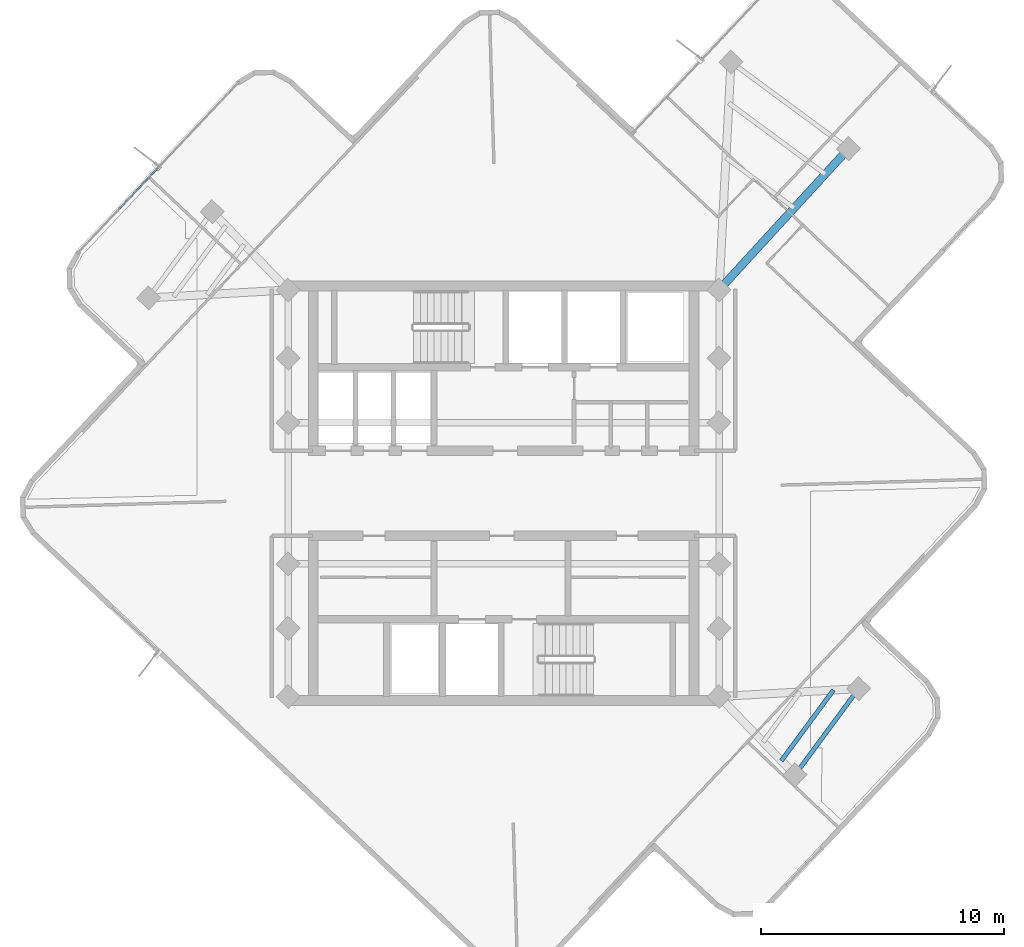
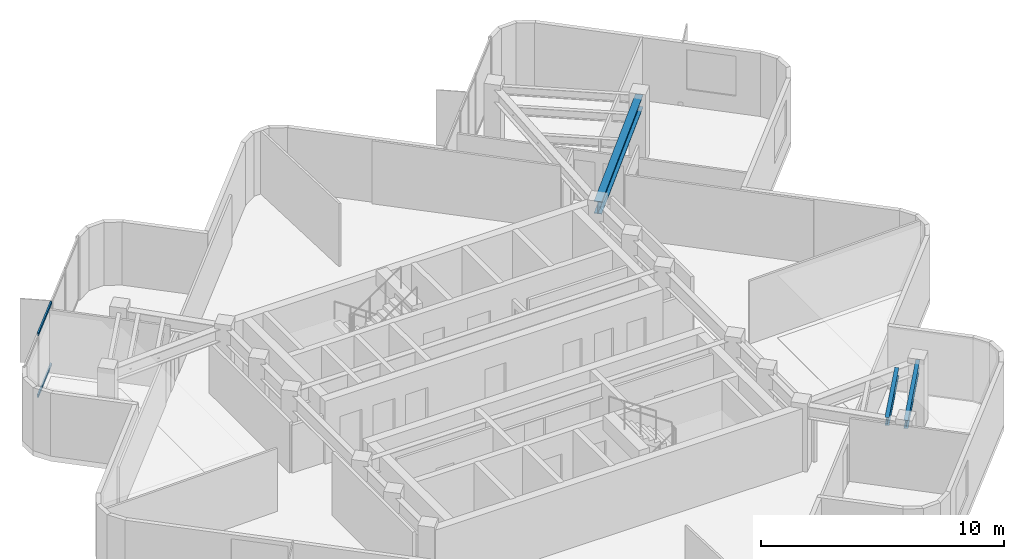
# One storey, part 3 of 10: 3 beams, 2 members, 1 element without a shape of its own.
"""IFC4 building model written with IfcOpenShell, lengths in metres."""

from ifc_helpers import new_model, si_unit, direction, frame, origin, origin_2d, place, context, subcontext, project, spatial, rectangle, i_section, extrude, material, layer, layer_set, material_profile, profile_set, type_object, element, aggregate, save


model = new_model("IFC4")

# Units and contexts
model_context = context("Model", 3, precision=1e-05, world=origin(), true_north=direction((0.0, 1.0)))
body_context = subcontext(model_context, "Body", "Model", "MODEL_VIEW")
ifc_project = project(units=[si_unit("LENGTHUNIT", "METRE"), si_unit("AREAUNIT", "SQUARE_METRE"), si_unit("VOLUMEUNIT", "CUBIC_METRE"), si_unit("PLANEANGLEUNIT", "RADIAN"), si_unit("MASSUNIT", "GRAM", prefix="KILO")], contexts=[model_context])

# Site, building, storey
site_placement = place(None, origin())
site = spatial("IfcSite", under=ifc_project, at=site_placement, CompositionType="ELEMENT")
building_placement = place(site_placement, origin())
building = spatial("IfcBuilding", under=site, at=building_placement, Name="Solmarez Civic Tower", CompositionType="ELEMENT")
storey_placement = place(building_placement, frame((0.0, 0.0, 247.5)))
storey = spatial("IfcBuildingStorey", under=building, at=storey_placement, Name="L66", CompositionType="ELEMENT", Elevation=247.5)

# Beams
ifc_material_1 = material(Name="Steel S355", Category="steel")
ifc_material_profile_1 = material_profile(ifc_material_1, i_section(OverallWidth=0.178955078125, OverallDepth=0.409912109375, WebThickness=0.0087890625, FlangeThickness=0.014404296875, at=origin_2d()), Name="W16X45")
ifc_profile_set_1 = profile_set([ifc_material_profile_1], Name="Steel S355")
beam_type_1 = type_object("IfcBeamType", Name="BM-JS-W16X45", PredefinedType="JOIST", material=ifc_profile_set_1)
beam_1_placement = place(storey_placement, frame((11.970947265625, -11.56591796875, 2.955078125), z_axis=(0.593730834471, 0.804663716219, 0.0), x_axis=(-0.804663716219, 0.593730834471, 0.0)))
element("IfcBeam", 1, at=beam_1_placement, inside=storey, type_object=beam_type_1, Name="L66 Secondary Floor Joist BM-L66-SA-T1", PredefinedType="JOIST", context=body_context, shape_type="SweptSolid", body=[
    extrude(i_section(OverallWidth=0.178955078125, OverallDepth=0.409912109375, WebThickness=0.0087890625, FlangeThickness=0.014404296875, at=origin_2d()), origin(), (0.0, 0.0, 1.0), 4.3994140625),
])
beam_2_placement = place(storey_placement, frame((11.408935546875, -10.987060546875, 2.955078125), z_axis=(0.593734433343, 0.804661060735, 0.0), x_axis=(-0.804661060735, 0.593734433343, 0.0)))
element("IfcBeam", 2, at=beam_2_placement, inside=storey, type_object=beam_type_1, Name="L66 Secondary Floor Joist JS-L66-SA-M12", PredefinedType="JOIST", context=body_context, shape_type="SweptSolid", body=[
    extrude(i_section(OverallWidth=0.178955078125, OverallDepth=0.409912109375, WebThickness=0.0087890625, FlangeThickness=0.014404296875, at=origin_2d()), origin(), (0.0, 0.0, 1.0), 3.60791015625),
])
ifc_material_profile_2 = material_profile(ifc_material_1, i_section(OverallWidth=0.327880859375, OverallDepth=0.6220703125, WebThickness=0.015380859375, FlangeThickness=0.0244140625, at=origin_2d()), Name="W24X131")
ifc_profile_set_2 = profile_set([ifc_material_profile_2], Name="Steel S355")
beam_type_2 = type_object("IfcBeamType", Name="BM-PR-W24X131", PredefinedType="BEAM", material=ifc_profile_set_2)
beam_3_placement = place(storey_placement, frame((8.85009765625, 8.35009765625, 2.84912109375), z_axis=(0.67574850583, 0.737132251953, 0.0), x_axis=(-0.737132251953, 0.67574850583, 0.0)))
element("IfcBeam", 3, at=beam_3_placement, inside=storey, type_object=beam_type_2, Name="L66 Primary Floor Beam BM-L66-EA-R1A", PredefinedType="BEAM", context=body_context, shape_type="SweptSolid", body=[
    extrude(i_section(OverallWidth=0.327880859375, OverallDepth=0.6220703125, WebThickness=0.015380859375, FlangeThickness=0.0244140625, at=origin_2d()), origin(), (0.0, 0.0, 1.0), 7.87109375),
])

# Curtain wall, members
ifc_material_2 = material(Name="Bronze Anodised Aluminium EN AW-6063 T6", Category="aluminium")
ifc_layer = layer(ifc_material_2, 0.1650390625)
ifc_layer_set = layer_set([ifc_layer], Name="Bronze Anodised Aluminium EN AW-6063 T6")
curtain_wall_type = type_object("IfcCurtainWallType", Name="CW-SYS-4", PredefinedType="NOTDEFINED", material=ifc_layer_set)
curtain_wall_placement = place(storey_placement, origin())
curtain_wall = element("IfcCurtainWall", 4, at=curtain_wall_placement, inside=storey, type_object=curtain_wall_type, Name="L66 Stick-Built Curtain Wall 1", PredefinedType="NOTDEFINED")
ifc_material_profile_3 = material_profile(ifc_material_2, rectangle(XDim=0.070068359375, YDim=0.139892578125, at=origin_2d()), Name="CWT-70X140")
ifc_profile_set_3 = profile_set([ifc_material_profile_3], Name="Bronze Anodised Aluminium EN AW-6063 T6")
member_type = type_object("IfcMemberType", Name="CWT-TYPE-1", PredefinedType="USERDEFINED", material=ifc_profile_set_3)
member_1_placement = place(storey_placement, frame((-15.81689453125, 11.650146484375, 0.034912109375), z_axis=(0.686091576427, 0.72751518799, 0.0), x_axis=(-0.72751518799, 0.686091576427, 0.0)))
member_1 = element("IfcMember", 5, at=member_1_placement, type_object=member_type, Name="CWS4 transom 2.1", ObjectType="TRANSOM", PredefinedType="USERDEFINED", context=body_context, shape_type="SweptSolid", body=[
    extrude(rectangle(XDim=0.070068359375, YDim=0.139892578125, at=origin_2d()), origin(), (0.0, 0.0, 1.0), 2.345703125),
])
member_2_placement = place(storey_placement, frame((-15.81689453125, 11.650146484375, 3.125), z_axis=(0.686091576427, 0.72751518799, 0.0), x_axis=(-0.72751518799, 0.686091576427, 0.0)))
member_2 = element("IfcMember", 6, at=member_2_placement, type_object=member_type, Name="CWS4 transom 2.2", ObjectType="TRANSOM", PredefinedType="USERDEFINED", context=body_context, shape_type="SweptSolid", body=[
    extrude(rectangle(XDim=0.070068359375, YDim=0.139892578125, at=origin_2d()), origin(), (0.0, 0.0, 1.0), 2.345703125),
])
aggregate(curtain_wall, [member_1, member_2])

save(model, "model.ifc")
